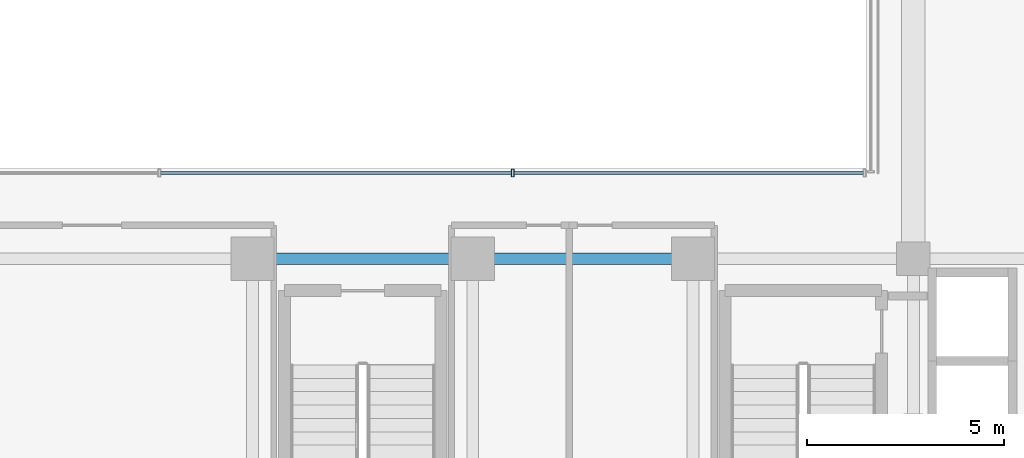
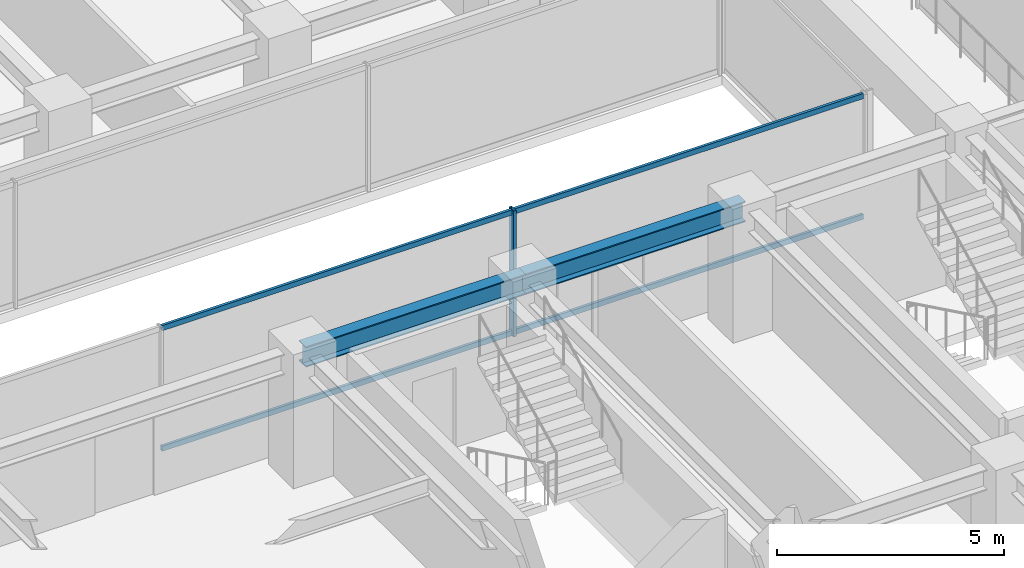
# One storey, part 8 of 38: 5 members, 2 beams, 1 element without a shape of its own.
"""IFC4 building model written with IfcOpenShell, lengths in metres."""

from ifc_helpers import new_model, si_unit, direction, frame, origin, origin_2d, place, context, subcontext, project, spatial, hollow_rectangle, i_section, extrude, source, transform, mapped, material, material_profile, profile_set, type_object, element, aggregate, save


model = new_model("IFC4")

# Units and contexts
model_context = context("Model", 3, precision=1e-05, world=origin(), true_north=direction((0.0, 1.0)))
body_context = subcontext(model_context, "Body", "Model", "MODEL_VIEW")
ifc_project = project(units=[si_unit("LENGTHUNIT", "METRE"), si_unit("AREAUNIT", "SQUARE_METRE"), si_unit("VOLUMEUNIT", "CUBIC_METRE"), si_unit("PLANEANGLEUNIT", "RADIAN"), si_unit("MASSUNIT", "GRAM", prefix="KILO")], contexts=[model_context])

# Site, building, storey
site_placement = place(None, origin())
site = spatial("IfcSite", under=ifc_project, at=site_placement, CompositionType="ELEMENT")
building_placement = place(site_placement, origin())
building = spatial("IfcBuilding", under=site, at=building_placement, Name="Nahalor Promenade Grand Hotel", CompositionType="ELEMENT")
storey_placement = place(building_placement, frame((0.0, 0.0, 163.60009765625)))
storey = spatial("IfcBuildingStorey", under=building, at=storey_placement, Name="L41", CompositionType="ELEMENT", Elevation=163.60009765625)

# Beams
ifc_material_1 = material(Name="Steel S355JR", Category="steel")
ifc_material_profile_1 = material_profile(ifc_material_1, i_section(OverallWidth=0.3, OverallDepth=0.55, WebThickness=0.015, FlangeThickness=0.029, at=origin_2d()), Name="HEB 550")
ifc_profile_set_1 = profile_set([ifc_material_profile_1], Name="Steel S355JR")
beam_type = type_object("IfcBeamType", Name="Beam-Girder-HEB550", PredefinedType="BEAM", material=ifc_profile_set_1)
shared_shape_1 = source(origin(), body_context, "Body", "SweptSolid", [
    extrude(i_section(OverallWidth=0.3, OverallDepth=0.55, WebThickness=0.015, FlangeThickness=0.029, at=origin_2d()), origin(), (0.0, 0.0, 1.0), 5.599853515625),
])
beam_1_placement = place(storey_placement, frame((-8.39990234375, -5.39990234375, 3.114990234375), z_axis=(1.0, 0.0, 0.0), x_axis=(0.0, 1.0, 0.0)))
element("IfcBeam", 1, at=beam_1_placement, inside=storey, type_object=beam_type, Name="BM-L41-GX-1-2", PredefinedType="BEAM", context=body_context, shape_type="MappedRepresentation", body=[
    mapped(shared_shape_1, transform((0.0, 0.0, 0.0), scale=1.0)),
])
shared_shape_2 = source(origin(), body_context, "Body", "SweptSolid", [
    extrude(i_section(OverallWidth=0.3, OverallDepth=0.55, WebThickness=0.015, FlangeThickness=0.029, at=origin_2d()), origin(), (0.0, 0.0, 1.0), 5.60009765625),
])
beam_2_placement = place(storey_placement, frame((-2.800048828125, -5.39990234375, 3.114990234375), z_axis=(1.0, 0.0, 0.0), x_axis=(0.0, 1.0, 0.0)))
element("IfcBeam", 2, at=beam_2_placement, inside=storey, type_object=beam_type, Name="BM-L41-GX-1-3", PredefinedType="BEAM", context=body_context, shape_type="MappedRepresentation", body=[
    mapped(shared_shape_2, transform((0.0, 0.0, 0.0), scale=1.0)),
])

# Curtain wall, members
ifc_material_2 = material(Name="Anodised Bronze Aluminium EN AW-6063 T6", Category="aluminium")
curtain_wall_type = type_object("IfcCurtainWallType", Name="CW3 Elliptical-Void Collar Unitised Curtain Wall", PredefinedType="USERDEFINED", material=ifc_material_2)
curtain_wall_placement = place(storey_placement, origin())
curtain_wall = element("IfcCurtainWall", 3, at=curtain_wall_placement, inside=storey, type_object=curtain_wall_type, Name="L41 Curtain Wall CW-L41-VOID-WS1", ObjectType="UNITISED_CURTAIN_WALL", PredefinedType="USERDEFINED")
ifc_material_profile_2 = material_profile(ifc_material_2, hollow_rectangle(XDim=0.07, YDim=0.14, WallThickness=0.004, at=origin_2d()), Name="CWT 70x140x4")
ifc_profile_set_2 = profile_set([ifc_material_profile_2], Name="Anodised Bronze Aluminium EN AW-6063 T6")
member_type_1 = type_object("IfcMemberType", Name="CWT3 Void Collar Transom 70x140", PredefinedType="USERDEFINED", material=ifc_profile_set_2)
shared_shape_3 = source(origin(), body_context, "Body", "SweptSolid", [
    extrude(hollow_rectangle(XDim=0.07, YDim=0.14, WallThickness=0.004, at=origin_2d()), origin(), (0.0, 0.0, 1.0), 8.881591796875),
])
member_1_placement = place(storey_placement, frame((-1.751708984375, -3.219970703125, 0.06982421875), z_axis=(1.0, 0.0, 0.0), x_axis=(0.0, 1.0, 0.0)))
member_1 = element("IfcMember", 4, at=member_1_placement, type_object=member_type_1, Name="CW-L41-VOID-WS1 Transom 2-0", ObjectType="TRANSOM", PredefinedType="USERDEFINED", context=body_context, shape_type="MappedRepresentation", body=[
    mapped(shared_shape_3, transform((0.0, 0.0, 0.0), scale=1.0)),
])
member_2_placement = place(storey_placement, frame((-1.751708984375, -3.219970703125, 3.31982421875), z_axis=(1.0, 0.0, 0.0), x_axis=(0.0, 1.0, 0.0)))
member_2 = element("IfcMember", 5, at=member_2_placement, type_object=member_type_1, Name="CW-L41-VOID-WS1 Transom 2-1", ObjectType="TRANSOM", PredefinedType="USERDEFINED", context=body_context, shape_type="MappedRepresentation", body=[
    mapped(shared_shape_3, transform((0.0, 0.0, 0.0), scale=1.0)),
])
shared_shape_4 = source(origin(), body_context, "Body", "SweptSolid", [
    extrude(hollow_rectangle(XDim=0.07, YDim=0.14, WallThickness=0.004, at=origin_2d()), origin(), (0.0, 0.0, 1.0), 8.91650390625),
])
member_3_placement = place(storey_placement, frame((-10.73828125, -3.219970703125, 0.06982421875), z_axis=(1.0, 0.0, 0.0), x_axis=(0.0, 1.0, 0.0)))
member_3 = element("IfcMember", 6, at=member_3_placement, type_object=member_type_1, Name="CW-L41-VOID-WS1 Transom 1-0", ObjectType="TRANSOM", PredefinedType="USERDEFINED", context=body_context, shape_type="MappedRepresentation", body=[
    mapped(shared_shape_4, transform((0.0, 0.0, 0.0), scale=1.0)),
])
member_4_placement = place(storey_placement, frame((-10.73828125, -3.219970703125, 3.31982421875), z_axis=(1.0, 0.0, 0.0), x_axis=(0.0, 1.0, 0.0)))
member_4 = element("IfcMember", 7, at=member_4_placement, type_object=member_type_1, Name="CW-L41-VOID-WS1 Transom 1-1", ObjectType="TRANSOM", PredefinedType="USERDEFINED", context=body_context, shape_type="MappedRepresentation", body=[
    mapped(shared_shape_4, transform((0.0, 0.0, 0.0), scale=1.0)),
])
ifc_material_profile_3 = material_profile(ifc_material_2, hollow_rectangle(XDim=0.07, YDim=0.2, WallThickness=0.005, at=origin_2d()), Name="CWM 70x200x5")
ifc_profile_set_3 = profile_set([ifc_material_profile_3], Name="Anodised Bronze Aluminium EN AW-6063 T6")
member_type_2 = type_object("IfcMemberType", Name="CWM3 Void Collar Mullion 70x200", PredefinedType="MULLION", material=ifc_profile_set_3)
shared_shape_5 = source(origin(), body_context, "Body", "SweptSolid", [
    extrude(hollow_rectangle(XDim=0.07, YDim=0.2, WallThickness=0.005, at=origin_2d()), origin(), (0.0, 0.0, 1.0), 3.389892578125),
])
member_5_placement = place(storey_placement, frame((-1.78662109375, -3.219970703125, 0.0), z_axis=(0.0, 0.0, 1.0), x_axis=(1.0, 0.0, 0.0)))
member_5 = element("IfcMember", 8, at=member_5_placement, type_object=member_type_2, Name="CW-L41-VOID-WS1 Mullion 2", PredefinedType="MULLION", context=body_context, shape_type="MappedRepresentation", body=[
    mapped(shared_shape_5, transform((0.0, 0.0, 0.0), scale=1.0)),
])
aggregate(curtain_wall, [member_5, member_3, member_4, member_1, member_2])

save(model, "model.ifc")
